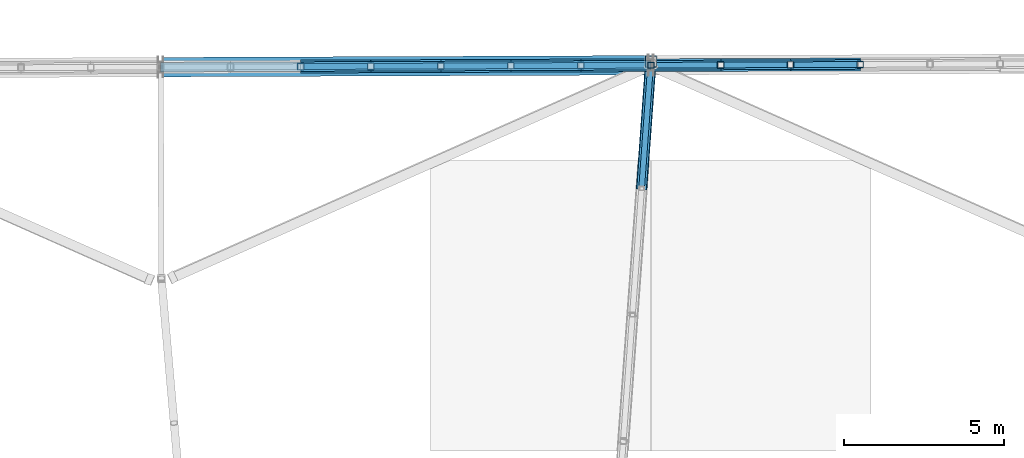
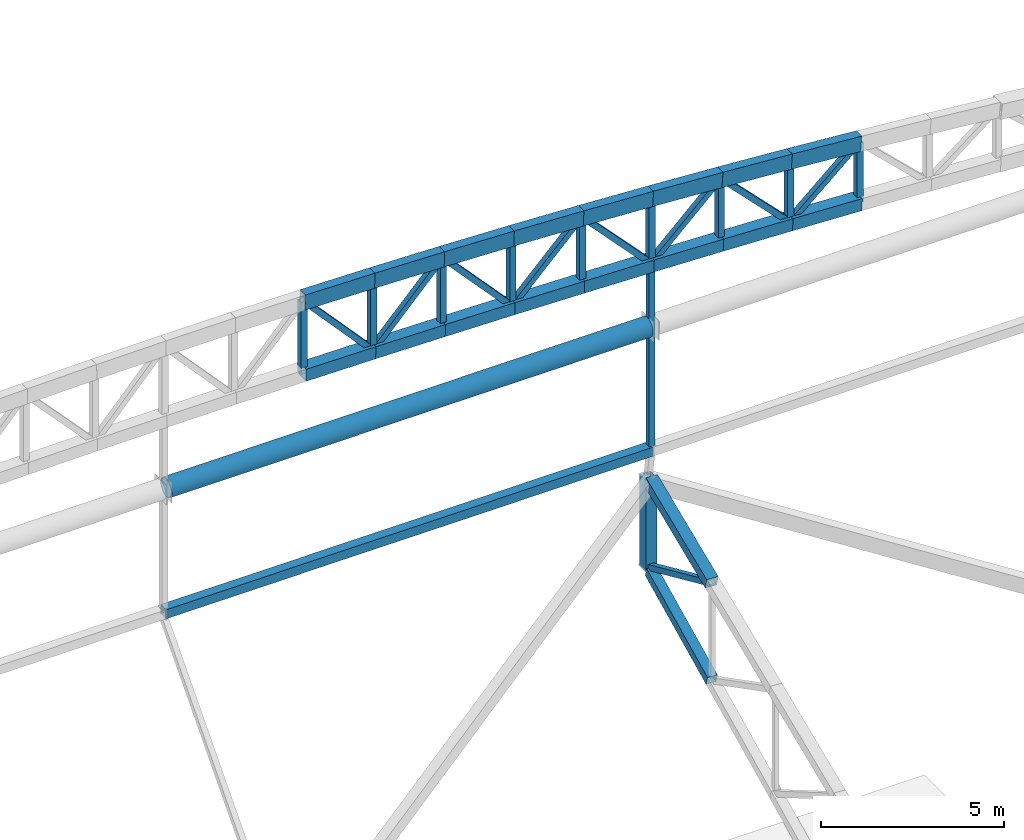
# One storey, part 89 of 188: 40 members.
"""IFC4 building model written with IfcOpenShell, lengths in metres."""

from ifc_helpers import new_model, si_unit, direction, frame, origin, origin_2d, place, context, subcontext, project, spatial, hollow_rectangle, hollow_circle, extrude, material, material_profile, profile_set, type_object, element, save


model = new_model("IFC4")

# Units and contexts
model_context = context("Model", 3, precision=1e-05, world=origin(), true_north=direction((0.0, 1.0)))
body_context = subcontext(model_context, "Body", "Model", "MODEL_VIEW")
ifc_project = project(units=[si_unit("LENGTHUNIT", "METRE"), si_unit("AREAUNIT", "SQUARE_METRE"), si_unit("VOLUMEUNIT", "CUBIC_METRE"), si_unit("PLANEANGLEUNIT", "RADIAN"), si_unit("MASSUNIT", "GRAM", prefix="KILO")], contexts=[model_context])

# Site, building, storey
site_placement = place(None, origin())
site = spatial("IfcSite", under=ifc_project, at=site_placement, CompositionType="ELEMENT")
building_placement = place(site_placement, origin())
building = spatial("IfcBuilding", under=site, at=building_placement, Name="Meseta Stadium", CompositionType="ELEMENT")
storey_placement = place(building_placement, frame((0.0, 0.0, 30.0)))
storey = spatial("IfcBuildingStorey", under=building, at=storey_placement, Name="ROOF", CompositionType="ELEMENT", Elevation=30.0)

# Members
ifc_material_1 = material(Name="Steel S355", Category="steel")
ifc_material_profile_1 = material_profile(ifc_material_1, hollow_circle(Radius=0.304931640625, WallThickness=0.02490234375, at=origin_2d()), Name="CHS 610x25")
ifc_profile_set_1 = profile_set([ifc_material_profile_1], Name="Steel S355")
member_type_1 = type_object("IfcMemberType", Name="CHS 610x25 arch tie", PredefinedType="STRUT", material=ifc_profile_set_1)
member_1_placement = place(storey_placement, frame((7.5771484375, 105.28173828125, 15.550048828125), z_axis=(-0.999992549764, -0.003860105702, 0.0), x_axis=(0.003860105702, -0.999992549764, 0.0)))
element("IfcMember", 1, at=member_1_placement, inside=storey, type_object=member_type_1, Name="GABLE ARCH GA-N tie 03", PredefinedType="STRUT", context=body_context, shape_type="SweptSolid", body=[
    extrude(hollow_circle(Radius=0.304931640625, WallThickness=0.02490234375, at=origin_2d()), origin(), (0.0, 0.0, 1.0), 15.17919921875),
])
ifc_material_2 = material(Name="Steel S355", Category="steel")
ifc_material_profile_2 = material_profile(ifc_material_2, hollow_rectangle(XDim=0.300048828125, YDim=0.5, WallThickness=0.01611328125, at=origin_2d()), Name="RHS 500x300x16")
ifc_profile_set_2 = profile_set([ifc_material_profile_2], Name="Steel S355")
member_type_2 = type_object("IfcMemberType", Name="RHS 500x300x16 arch top chord", PredefinedType="CHORD", material=ifc_profile_set_2)
member_2_placement = place(storey_placement, frame((14.227294921875, 105.30712890625, 19.3759765625), z_axis=(-0.996642958915, -0.003783170772, 0.081783250508), x_axis=(0.003795886463, -0.999992795597, 0.0)))
element("IfcMember", 2, at=member_2_placement, inside=storey, type_object=member_type_2, Name="GABLE ARCH GA-N top chord", PredefinedType="CHORD", context=body_context, shape_type="SweptSolid", body=[
    extrude(hollow_rectangle(XDim=0.300048828125, YDim=0.5, WallThickness=0.01611328125, at=origin_2d()), origin(), (0.0, 0.0, 1.0), 2.194091796875),
])
member_3_placement = place(storey_placement, frame((12.04052734375, 105.298828125, 19.555419921875), z_axis=(-0.997305386372, -0.003785685289, 0.073264144717), x_axis=(0.003795886463, -0.999992795597, 0.0)))
element("IfcMember", 3, at=member_3_placement, inside=storey, type_object=member_type_2, Name="GABLE ARCH GA-N top chord", PredefinedType="CHORD", context=body_context, shape_type="SweptSolid", body=[
    extrude(hollow_rectangle(XDim=0.300048828125, YDim=0.5, WallThickness=0.01611328125, at=origin_2d()), origin(), (0.0, 0.0, 1.0), 2.192626953125),
])
member_4_placement = place(storey_placement, frame((9.853759765625, 105.29052734375, 19.716064453125), z_axis=(-0.99790916722, -0.003899823677, 0.064514225974), x_axis=(0.003907964799, -0.999992363876, 0.0)))
element("IfcMember", 4, at=member_4_placement, inside=storey, type_object=member_type_2, Name="GABLE ARCH GA-N top chord", PredefinedType="CHORD", context=body_context, shape_type="SweptSolid", body=[
    extrude(hollow_rectangle(XDim=0.300048828125, YDim=0.5, WallThickness=0.01611328125, at=origin_2d()), origin(), (0.0, 0.0, 1.0), 2.191162109375),
])
member_5_placement = place(storey_placement, frame((7.667236328125, 105.281982421875, 19.857421875), z_axis=(-0.998436781492, -0.003776908163, 0.055764938174), x_axis=(0.003782794475, -0.999992845207, 0.0)))
element("IfcMember", 5, at=member_5_placement, inside=storey, type_object=member_type_2, Name="GABLE ARCH GA-N top chord", PredefinedType="CHORD", context=body_context, shape_type="SweptSolid", body=[
    extrude(hollow_rectangle(XDim=0.300048828125, YDim=0.5, WallThickness=0.01611328125, at=origin_2d()), origin(), (0.0, 0.0, 1.0), 2.19775390625),
])
member_6_placement = place(storey_placement, frame((5.472900390625, 105.273681640625, 19.97998046875), z_axis=(-0.99889179473, -0.003890198377, 0.046904677576), x_axis=(0.003894484764, -0.999992416465, 0.0)))
element("IfcMember", 6, at=member_6_placement, inside=storey, type_object=member_type_2, Name="GABLE ARCH GA-N top chord", PredefinedType="CHORD", context=body_context, shape_type="SweptSolid", body=[
    extrude(hollow_rectangle(XDim=0.300048828125, YDim=0.5, WallThickness=0.01611328125, at=origin_2d()), origin(), (0.0, 0.0, 1.0), 2.196533203125),
])
member_7_placement = place(storey_placement, frame((3.27880859375, 105.26513671875, 20.0830078125), z_axis=(-0.999277714425, -0.003891268358, 0.037800892624), x_axis=(0.003894051473, -0.999992418153, 0.0)))
element("IfcMember", 7, at=member_7_placement, inside=storey, type_object=member_type_2, Name="GABLE ARCH GA-N top chord", PredefinedType="CHORD", context=body_context, shape_type="SweptSolid", body=[
    extrude(hollow_rectangle(XDim=0.300048828125, YDim=0.5, WallThickness=0.01611328125, at=origin_2d()), origin(), (0.0, 0.0, 1.0), 2.19580078125),
])
member_8_placement = place(storey_placement, frame((1.08447265625, 105.256591796875, 20.166015625), z_axis=(-0.999577831952, -0.003781645297, 0.028807239176), x_axis=(0.003783215387, -0.999992843615, 0.0)))
element("IfcMember", 8, at=member_8_placement, inside=storey, type_object=member_type_2, Name="GABLE ARCH GA-N top chord", PredefinedType="CHORD", context=body_context, shape_type="SweptSolid", body=[
    extrude(hollow_rectangle(XDim=0.300048828125, YDim=0.5, WallThickness=0.01611328125, at=origin_2d()), origin(), (0.0, 0.0, 1.0), 2.195068359375),
])
member_9_placement = place(storey_placement, frame((-1.109619140625, 105.248291015625, 20.229248046875), z_axis=(-0.999798528501, -0.003893729665, 0.019691147162), x_axis=(0.003894484764, -0.999992416465, 0.0)))
element("IfcMember", 9, at=member_9_placement, inside=storey, type_object=member_type_2, Name="GABLE ARCH GA-N top chord", PredefinedType="CHORD", context=body_context, shape_type="SweptSolid", body=[
    extrude(hollow_rectangle(XDim=0.300048828125, YDim=0.5, WallThickness=0.01611328125, at=origin_2d()), origin(), (0.0, 0.0, 1.0), 2.194580078125),
])
ifc_material_3 = material(Name="Steel S355", Category="steel")
ifc_material_profile_3 = material_profile(ifc_material_3, hollow_rectangle(XDim=0.179931640625, YDim=0.179931640625, WallThickness=0.00634765625, at=origin_2d()), Name="SHS 180x180x6.3")
ifc_profile_set_3 = profile_set([ifc_material_profile_3], Name="Steel S355")
member_type_3 = type_object("IfcMemberType", Name="SHS 180x180x6.3 arch diagonal", PredefinedType="BRACE", material=ifc_profile_set_3)
member_10_placement = place(storey_placement, frame((14.227294921875, 105.30712890625, 19.3759765625), z_axis=(-0.756886381971, -0.00287307547, -0.653540167262), x_axis=(0.003795886463, -0.999992795597, 0.0)))
element("IfcMember", 10, at=member_10_placement, inside=storey, type_object=member_type_3, Name="GABLE ARCH GA-N diagonal", PredefinedType="BRACE", context=body_context, shape_type="SweptSolid", body=[
    extrude(hollow_rectangle(XDim=0.179931640625, YDim=0.179931640625, WallThickness=0.00634765625, at=origin_2d()), origin(), (0.0, 0.0, 1.0), 2.88916015625),
])
member_11_placement = place(storey_placement, frame((12.04052734375, 105.298828125, 17.48779296875), z_axis=(-0.700426147085, -0.002658757285, 0.71371993351), x_axis=(0.003795886463, -0.999992795597, 0.0)))
element("IfcMember", 11, at=member_11_placement, inside=storey, type_object=member_type_3, Name="GABLE ARCH GA-N diagonal", PredefinedType="BRACE", context=body_context, shape_type="SweptSolid", body=[
    extrude(hollow_rectangle(XDim=0.179931640625, YDim=0.179931640625, WallThickness=0.00634765625, at=origin_2d()), origin(), (0.0, 0.0, 1.0), 3.1220703125),
])
member_12_placement = place(storey_placement, frame((9.853759765625, 105.29052734375, 19.716064453125), z_axis=(-0.728082475243, -0.002845342411, -0.685483634575), x_axis=(0.003907964799, -0.999992363876, 0.0)))
element("IfcMember", 12, at=member_12_placement, inside=storey, type_object=member_type_3, Name="GABLE ARCH GA-N diagonal", PredefinedType="BRACE", context=body_context, shape_type="SweptSolid", body=[
    extrude(hollow_rectangle(XDim=0.179931640625, YDim=0.179931640625, WallThickness=0.00634765625, at=origin_2d()), origin(), (0.0, 0.0, 1.0), 3.003173828125),
])
member_13_placement = place(storey_placement, frame((7.667236328125, 105.281982421875, 17.657470703125), z_axis=(-0.686762553043, -0.002597900178, 0.72687718815), x_axis=(0.003782794475, -0.999992845207, 0.0)))
element("IfcMember", 13, at=member_13_placement, inside=storey, type_object=member_type_3, Name="GABLE ARCH GA-N diagonal", PredefinedType="BRACE", context=body_context, shape_type="SweptSolid", body=[
    extrude(hollow_rectangle(XDim=0.179931640625, YDim=0.179931640625, WallThickness=0.00634765625, at=origin_2d()), origin(), (0.0, 0.0, 1.0), 3.195068359375),
])
member_14_placement = place(storey_placement, frame((5.472900390625, 105.273681640625, 19.97998046875), z_axis=(-0.706474938981, -0.002751376751, -0.70773271121), x_axis=(0.003894484764, -0.999992416465, 0.0)))
element("IfcMember", 14, at=member_14_placement, inside=storey, type_object=member_type_3, Name="GABLE ARCH GA-N diagonal", PredefinedType="BRACE", context=body_context, shape_type="SweptSolid", body=[
    extrude(hollow_rectangle(XDim=0.179931640625, YDim=0.179931640625, WallThickness=0.00634765625, at=origin_2d()), origin(), (0.0, 0.0, 1.0), 3.105712890625),
])
member_15_placement = place(storey_placement, frame((3.27880859375, 105.26513671875, 17.781982421875), z_axis=(-0.677225551375, -0.00263717115, 0.735770750909), x_axis=(0.003894051473, -0.999992418153, 0.0)))
element("IfcMember", 15, at=member_15_placement, inside=storey, type_object=member_type_3, Name="GABLE ARCH GA-N diagonal", PredefinedType="BRACE", context=body_context, shape_type="SweptSolid", body=[
    extrude(hollow_rectangle(XDim=0.179931640625, YDim=0.179931640625, WallThickness=0.00634765625, at=origin_2d()), origin(), (0.0, 0.0, 1.0), 3.240234375),
])
member_16_placement = place(storey_placement, frame((1.08447265625, 105.256591796875, 20.166015625), z_axis=(-0.689589594242, -0.002608884634, -0.724195681591), x_axis=(0.003783215387, -0.999992843615, 0.0)))
element("IfcMember", 16, at=member_16_placement, inside=storey, type_object=member_type_3, Name="GABLE ARCH GA-N diagonal", PredefinedType="BRACE", context=body_context, shape_type="SweptSolid", body=[
    extrude(hollow_rectangle(XDim=0.179931640625, YDim=0.179931640625, WallThickness=0.00634765625, at=origin_2d()), origin(), (0.0, 0.0, 1.0), 3.181640625),
])
member_17_placement = place(storey_placement, frame((-1.109619140625, 105.248291015625, 17.86181640625), z_axis=(-0.673106535414, -0.002621423027, 0.739540884687), x_axis=(0.003894484764, -0.999992416465, 0.0)))
element("IfcMember", 17, at=member_17_placement, inside=storey, type_object=member_type_3, Name="GABLE ARCH GA-N diagonal", PredefinedType="BRACE", context=body_context, shape_type="SweptSolid", body=[
    extrude(hollow_rectangle(XDim=0.179931640625, YDim=0.179931640625, WallThickness=0.00634765625, at=origin_2d()), origin(), (0.0, 0.0, 1.0), 3.259765625),
])
ifc_material_4 = material(Name="Steel S355", Category="steel")
ifc_material_profile_4 = material_profile(ifc_material_4, hollow_rectangle(XDim=0.179931640625, YDim=0.179931640625, WallThickness=0.00634765625, at=origin_2d()), Name="SHS 180x180x6.3")
ifc_profile_set_4 = profile_set([ifc_material_profile_4], Name="Steel S355")
member_type_4 = type_object("IfcMemberType", Name="SHS 180x180x6.3 diagonal", PredefinedType="BRACE", material=ifc_profile_set_4)
member_18_placement = place(storey_placement, frame((7.379150390625, 101.4365234375, 9.443115234375), z_axis=(0.06492682307, 0.894755556632, -0.441811047306), x_axis=(-0.997377602365, 0.072373464062, 0.0)))
element("IfcMember", 18, at=member_18_placement, inside=storey, type_object=member_type_4, Name="ROOF TRUSS RT-18 diagonal", PredefinedType="BRACE", context=body_context, shape_type="SweptSolid", body=[
    extrude(hollow_rectangle(XDim=0.179931640625, YDim=0.179931640625, WallThickness=0.00634765625, at=origin_2d()), origin(), (0.0, 0.0, 1.0), 4.4296875),
])
ifc_material_5 = material(Name="Steel S355", Category="steel")
ifc_material_profile_5 = material_profile(ifc_material_5, hollow_rectangle(XDim=0.179931640625, YDim=0.179931640625, WallThickness=0.00634765625, at=origin_2d()), Name="SHS 180x180x6.3")
ifc_profile_set_5 = profile_set([ifc_material_profile_5], Name="Steel S355")
member_type_5 = type_object("IfcMemberType", Name="SHS 180x180x6.3 hanger", PredefinedType="STRUT", material=ifc_profile_set_5)
member_19_placement = place(storey_placement, frame((7.667236328125, 105.281982421875, 17.657470703125), z_axis=(0.0, 0.0, -1.0), x_axis=(1.0, 0.0, 0.0)))
element("IfcMember", 19, at=member_19_placement, inside=storey, type_object=member_type_5, Name="GABLE ARCH GA-N hanger RT-18", PredefinedType="STRUT", context=body_context, shape_type="SweptSolid", body=[
    extrude(hollow_rectangle(XDim=0.179931640625, YDim=0.179931640625, WallThickness=0.00634765625, at=origin_2d()), origin(), (0.0, 0.0, 1.0), 6.057373046875),
])
ifc_material_6 = material(Name="Steel S355", Category="steel")
ifc_material_profile_6 = material_profile(ifc_material_6, hollow_rectangle(XDim=0.199951171875, YDim=0.199951171875, WallThickness=0.008056640625, at=origin_2d()), Name="SHS 200x200x8")
ifc_profile_set_6 = profile_set([ifc_material_profile_6], Name="Steel S355")
member_type_6 = type_object("IfcMemberType", Name="SHS 200x200x8 arch vertical", PredefinedType="POST", material=ifc_profile_set_6)
member_20_placement = place(storey_placement, frame((14.227294921875, 105.30712890625, 17.38525390625), z_axis=(0.0, 0.0, 1.0), x_axis=(1.0, 0.0, 0.0)))
element("IfcMember", 20, at=member_20_placement, inside=storey, type_object=member_type_6, Name="GABLE ARCH GA-N vertical", PredefinedType="POST", context=body_context, shape_type="SweptSolid", body=[
    extrude(hollow_rectangle(XDim=0.199951171875, YDim=0.199951171875, WallThickness=0.008056640625, at=origin_2d()), origin(), (0.0, 0.0, 1.0), 1.99072265625),
])
member_21_placement = place(storey_placement, frame((12.04052734375, 105.298828125, 17.48779296875), z_axis=(0.0, 0.0, 1.0), x_axis=(1.0, 0.0, 0.0)))
element("IfcMember", 21, at=member_21_placement, inside=storey, type_object=member_type_6, Name="GABLE ARCH GA-N vertical", PredefinedType="POST", context=body_context, shape_type="SweptSolid", body=[
    extrude(hollow_rectangle(XDim=0.199951171875, YDim=0.199951171875, WallThickness=0.008056640625, at=origin_2d()), origin(), (0.0, 0.0, 1.0), 2.067626953125),
])
member_22_placement = place(storey_placement, frame((9.853759765625, 105.29052734375, 17.578369140625), z_axis=(0.0, 0.0, 1.0), x_axis=(1.0, 0.0, 0.0)))
element("IfcMember", 22, at=member_22_placement, inside=storey, type_object=member_type_6, Name="GABLE ARCH GA-N vertical", PredefinedType="POST", context=body_context, shape_type="SweptSolid", body=[
    extrude(hollow_rectangle(XDim=0.199951171875, YDim=0.199951171875, WallThickness=0.008056640625, at=origin_2d()), origin(), (0.0, 0.0, 1.0), 2.1376953125),
])
member_23_placement = place(storey_placement, frame((7.667236328125, 105.281982421875, 17.657470703125), z_axis=(0.0, 0.0, 1.0), x_axis=(1.0, 0.0, 0.0)))
element("IfcMember", 23, at=member_23_placement, inside=storey, type_object=member_type_6, Name="GABLE ARCH GA-N vertical", PredefinedType="POST", context=body_context, shape_type="SweptSolid", body=[
    extrude(hollow_rectangle(XDim=0.199951171875, YDim=0.199951171875, WallThickness=0.008056640625, at=origin_2d()), origin(), (0.0, 0.0, 1.0), 2.199951171875),
])
member_24_placement = place(storey_placement, frame((5.472900390625, 105.273681640625, 17.725341796875), z_axis=(0.0, 0.0, 1.0), x_axis=(1.0, 0.0, 0.0)))
element("IfcMember", 24, at=member_24_placement, inside=storey, type_object=member_type_6, Name="GABLE ARCH GA-N vertical", PredefinedType="POST", context=body_context, shape_type="SweptSolid", body=[
    extrude(hollow_rectangle(XDim=0.199951171875, YDim=0.199951171875, WallThickness=0.008056640625, at=origin_2d()), origin(), (0.0, 0.0, 1.0), 2.254638671875),
])
member_25_placement = place(storey_placement, frame((3.27880859375, 105.26513671875, 17.781982421875), z_axis=(0.0, 0.0, 1.0), x_axis=(1.0, 0.0, 0.0)))
element("IfcMember", 25, at=member_25_placement, inside=storey, type_object=member_type_6, Name="GABLE ARCH GA-N vertical", PredefinedType="POST", context=body_context, shape_type="SweptSolid", body=[
    extrude(hollow_rectangle(XDim=0.199951171875, YDim=0.199951171875, WallThickness=0.008056640625, at=origin_2d()), origin(), (0.0, 0.0, 1.0), 2.301025390625),
])
member_26_placement = place(storey_placement, frame((1.08447265625, 105.256591796875, 17.827392578125), z_axis=(0.0, 0.0, 1.0), x_axis=(1.0, 0.0, 0.0)))
element("IfcMember", 26, at=member_26_placement, inside=storey, type_object=member_type_6, Name="GABLE ARCH GA-N vertical", PredefinedType="POST", context=body_context, shape_type="SweptSolid", body=[
    extrude(hollow_rectangle(XDim=0.199951171875, YDim=0.199951171875, WallThickness=0.008056640625, at=origin_2d()), origin(), (0.0, 0.0, 1.0), 2.338623046875),
])
member_27_placement = place(storey_placement, frame((-1.109619140625, 105.248291015625, 17.86181640625), z_axis=(0.0, 0.0, 1.0), x_axis=(1.0, 0.0, 0.0)))
element("IfcMember", 27, at=member_27_placement, inside=storey, type_object=member_type_6, Name="GABLE ARCH GA-N vertical", PredefinedType="POST", context=body_context, shape_type="SweptSolid", body=[
    extrude(hollow_rectangle(XDim=0.199951171875, YDim=0.199951171875, WallThickness=0.008056640625, at=origin_2d()), origin(), (0.0, 0.0, 1.0), 2.367431640625),
])
member_28_placement = place(storey_placement, frame((-3.3037109375, 105.23974609375, 17.88525390625), z_axis=(0.0, 0.0, 1.0), x_axis=(1.0, 0.0, 0.0)))
element("IfcMember", 28, at=member_28_placement, inside=storey, type_object=member_type_6, Name="GABLE ARCH GA-N vertical", PredefinedType="POST", context=body_context, shape_type="SweptSolid", body=[
    extrude(hollow_rectangle(XDim=0.199951171875, YDim=0.199951171875, WallThickness=0.008056640625, at=origin_2d()), origin(), (0.0, 0.0, 1.0), 2.38720703125),
])
ifc_material_7 = material(Name="Steel S355", Category="steel")
ifc_material_profile_7 = material_profile(ifc_material_7, hollow_rectangle(XDim=0.300048828125, YDim=0.300048828125, WallThickness=0.010009765625, at=origin_2d()), Name="SHS 300x300x10")
ifc_profile_set_7 = profile_set([ifc_material_profile_7], Name="Steel S355")
member_type_7 = type_object("IfcMemberType", Name="SHS 300x300x10 arch sill", PredefinedType="STRUT", material=ifc_profile_set_7)
member_29_placement = place(storey_placement, frame((7.667236328125, 105.281982421875, 11.449951171875), z_axis=(-0.999992601751, -0.003846614471, 0.0), x_axis=(0.003846614471, -0.999992601751, 0.0)))
element("IfcMember", 29, at=member_29_placement, inside=storey, type_object=member_type_7, Name="GABLE ARCH GA-N sill beam 03", PredefinedType="STRUT", context=body_context, shape_type="SweptSolid", body=[
    extrude(hollow_rectangle(XDim=0.300048828125, YDim=0.300048828125, WallThickness=0.010009765625, at=origin_2d()), origin(), (0.0, 0.0, 1.0), 15.359375),
])
ifc_material_8 = material(Name="Steel S355", Category="steel")
ifc_material_profile_8 = material_profile(ifc_material_8, hollow_rectangle(XDim=0.300048828125, YDim=0.300048828125, WallThickness=0.010009765625, at=origin_2d()), Name="SHS 300x300x10")
ifc_profile_set_8 = profile_set([ifc_material_profile_8], Name="Steel S355")
member_type_8 = type_object("IfcMemberType", Name="SHS 300x300x10 bottom chord", PredefinedType="CHORD", material=ifc_profile_set_8)
member_30_placement = place(storey_placement, frame((7.379150390625, 101.4365234375, 6.208740234375), z_axis=(0.068862538308, 0.949546029118, 0.305974328015), x_axis=(-0.997380640897, 0.072331577918, 0.0)))
element("IfcMember", 30, at=member_30_placement, inside=storey, type_object=member_type_8, Name="ROOF TRUSS RT-18 bottom chord", PredefinedType="CHORD", context=body_context, shape_type="SweptSolid", body=[
    extrude(hollow_rectangle(XDim=0.300048828125, YDim=0.300048828125, WallThickness=0.010009765625, at=origin_2d()), origin(), (0.0, 0.0, 1.0), 3.9990234375),
])
ifc_material_9 = material(Name="Steel S355", Category="steel")
ifc_material_profile_9 = material_profile(ifc_material_9, hollow_rectangle(XDim=0.35009765625, YDim=0.35009765625, WallThickness=0.010009765625, at=origin_2d()), Name="SHS 350x350x10")
ifc_profile_set_9 = profile_set([ifc_material_profile_9], Name="Steel S355")
member_type_9 = type_object("IfcMemberType", Name="SHS 350x350x10 rim post", PredefinedType="POST", material=ifc_profile_set_9)
member_31_placement = place(storey_placement, frame((7.666748046875, 105.39990234375, 7.486083984375), z_axis=(0.0, 0.0, 1.0), x_axis=(1.0, 0.0, 0.0)))
element("IfcMember", 31, at=member_31_placement, inside=storey, type_object=member_type_9, Name="ROOF TRUSS RT-18 post", PredefinedType="POST", context=body_context, shape_type="SweptSolid", body=[
    extrude(hollow_rectangle(XDim=0.35009765625, YDim=0.35009765625, WallThickness=0.010009765625, at=origin_2d()), origin(), (0.0, 0.0, 1.0), 3.0),
])
ifc_material_10 = material(Name="Steel S355", Category="steel")
ifc_material_profile_10 = material_profile(ifc_material_10, hollow_rectangle(XDim=0.35009765625, YDim=0.35009765625, WallThickness=0.010009765625, at=origin_2d()), Name="SHS 350x350x10")
ifc_profile_set_10 = profile_set([ifc_material_profile_10], Name="Steel S355")
member_type_10 = type_object("IfcMemberType", Name="SHS 350x350x10 top chord", PredefinedType="CHORD", material=ifc_profile_set_10)
member_32_placement = place(storey_placement, frame((7.379150390625, 101.4365234375, 9.443115234375), z_axis=(0.070011442269, 0.964705538281, 0.253853545105), x_axis=(-0.99737694665, 0.072382499892, 0.0)))
element("IfcMember", 32, at=member_32_placement, inside=storey, type_object=member_type_10, Name="ROOF TRUSS RT-18 top chord", PredefinedType="CHORD", context=body_context, shape_type="SweptSolid", body=[
    extrude(hollow_rectangle(XDim=0.35009765625, YDim=0.35009765625, WallThickness=0.010009765625, at=origin_2d()), origin(), (0.0, 0.0, 1.0), 3.93359375),
])
ifc_material_11 = material(Name="Steel S355", Category="steel")
ifc_material_profile_11 = material_profile(ifc_material_11, hollow_rectangle(XDim=0.39990234375, YDim=0.39990234375, WallThickness=0.01416015625, at=origin_2d()), Name="SHS 400x400x14.2")
ifc_profile_set_11 = profile_set([ifc_material_profile_11], Name="Steel S355")
member_type_11 = type_object("IfcMemberType", Name="SHS 400x400x14.2 arch bottom chord", PredefinedType="CHORD", material=ifc_profile_set_11)
member_33_placement = place(storey_placement, frame((14.227294921875, 105.30712890625, 17.38525390625), z_axis=(-0.998895260021, -0.003791720313, 0.04683889798), x_axis=(0.003795886463, -0.999992795597, 0.0)))
element("IfcMember", 33, at=member_33_placement, inside=storey, type_object=member_type_11, Name="GABLE ARCH GA-N bottom chord", PredefinedType="CHORD", context=body_context, shape_type="SweptSolid", body=[
    extrude(hollow_rectangle(XDim=0.39990234375, YDim=0.39990234375, WallThickness=0.01416015625, at=origin_2d()), origin(), (0.0, 0.0, 1.0), 2.189208984375),
])
member_34_placement = place(storey_placement, frame((12.04052734375, 105.298828125, 17.48779296875), z_axis=(-0.999136103185, -0.003792634533, 0.041384335635), x_axis=(0.003795886463, -0.999992795597, 0.0)))
element("IfcMember", 34, at=member_34_placement, inside=storey, type_object=member_type_11, Name="GABLE ARCH GA-N bottom chord", PredefinedType="CHORD", context=body_context, shape_type="SweptSolid", body=[
    extrude(hollow_rectangle(XDim=0.39990234375, YDim=0.39990234375, WallThickness=0.01416015625, at=origin_2d()), origin(), (0.0, 0.0, 1.0), 2.188720703125),
])
member_35_placement = place(storey_placement, frame((9.853759765625, 105.29052734375, 17.578369140625), z_axis=(-0.999338637699, -0.00390541004, 0.036152938657), x_axis=(0.003907964799, -0.999992363876, 0.0)))
element("IfcMember", 35, at=member_35_placement, inside=storey, type_object=member_type_11, Name="GABLE ARCH GA-N bottom chord", PredefinedType="CHORD", context=body_context, shape_type="SweptSolid", body=[
    extrude(hollow_rectangle(XDim=0.39990234375, YDim=0.39990234375, WallThickness=0.01416015625, at=origin_2d()), origin(), (0.0, 0.0, 1.0), 2.18798828125),
])
member_36_placement = place(storey_placement, frame((7.667236328125, 105.281982421875, 17.657470703125), z_axis=(-0.999514861956, -0.003780986349, 0.030915123679), x_axis=(0.003782794475, -0.999992845207, 0.0)))
element("IfcMember", 36, at=member_36_placement, inside=storey, type_object=member_type_11, Name="GABLE ARCH GA-N bottom chord", PredefinedType="CHORD", context=body_context, shape_type="SweptSolid", body=[
    extrude(hollow_rectangle(XDim=0.39990234375, YDim=0.39990234375, WallThickness=0.01416015625, at=origin_2d()), origin(), (0.0, 0.0, 1.0), 2.1953125),
])
for number, where, z_axis, x_axis, name in (
    (37, (5.472900390625, 105.273681640625, 17.725341796875), (-0.999659381668, -0.003893187755, 0.025806273122), (0.003894484764, -0.999992416465, 0.0), "GABLE ARCH GA-N bottom chord"),
    (38, (3.27880859375, 105.26513671875, 17.781982421875), (-0.999778365593, -0.003893217935, 0.020689672452), (0.003894051473, -0.999992418153, 0.0), "GABLE ARCH GA-N bottom chord"),
):
    element("IfcMember", number, at=place(storey_placement, frame(where, z_axis=z_axis, x_axis=x_axis)), inside=storey, type_object=member_type_11, Name=name, PredefinedType="CHORD", context=body_context, shape_type="SweptSolid", body=[
        extrude(hollow_rectangle(XDim=0.39990234375, YDim=0.39990234375, WallThickness=0.01416015625, at=origin_2d()), origin(), (0.0, 0.0, 1.0), 2.19482421875),
    ])
for number, where, z_axis, x_axis, name in (
    (39, (1.08447265625, 105.256591796875, 17.827392578125), (-0.999869791451, -0.003782749851, 0.015687286146), (0.003783215387, -0.999992843615, 0.0), "GABLE ARCH GA-N bottom chord"),
    (40, (-1.109619140625, 105.248291015625, 17.86181640625), (-0.999935369054, -0.003894262592, 0.010681405967), (0.003894484764, -0.999992416465, 0.0), "GABLE ARCH GA-N bottom chord"),
):
    element("IfcMember", number, at=place(storey_placement, frame(where, z_axis=z_axis, x_axis=x_axis)), inside=storey, type_object=member_type_11, Name=name, PredefinedType="CHORD", context=body_context, shape_type="SweptSolid", body=[
        extrude(hollow_rectangle(XDim=0.39990234375, YDim=0.39990234375, WallThickness=0.01416015625, at=origin_2d()), origin(), (0.0, 0.0, 1.0), 2.1943359375),
    ])

save(model, "model.ifc")
